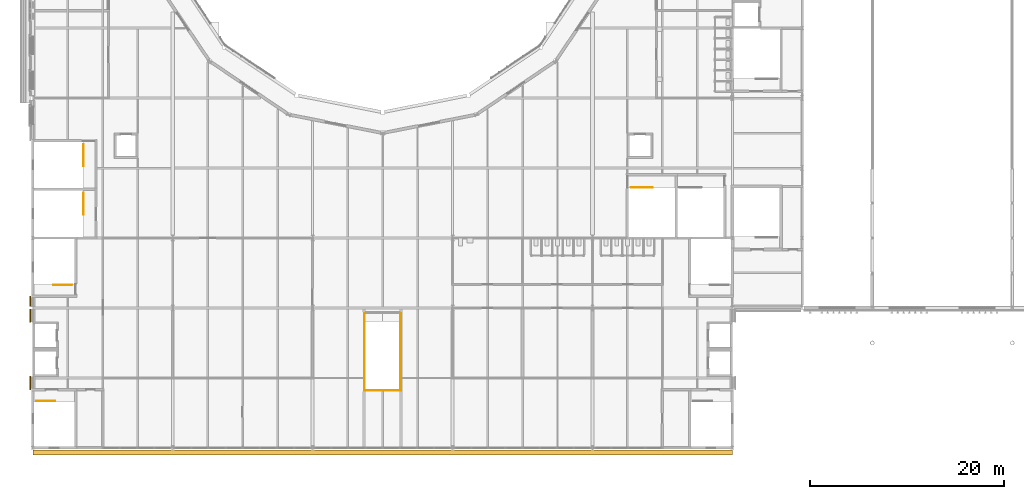
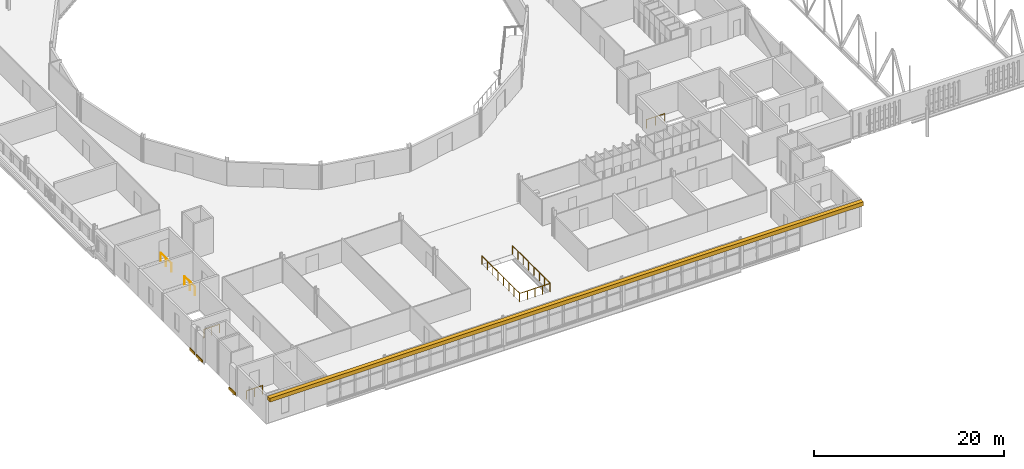
# One storey, part 114 of 142: 8 railings, 4 coverings.
"""IFC4 building model written with IfcOpenShell, lengths in metres."""

from ifc_helpers import new_model, si_unit, direction, frame, origin, origin_2d, place, context, subcontext, project, spatial, rectangle, circle, extrude, material, layer, layer_set, type_object, element, save


model = new_model("IFC4")

# Units and contexts
model_context = context("Model", 3, precision=1e-05, world=origin(), true_north=direction((0.0, 1.0)))
body_context = subcontext(model_context, "Body", "Model", "MODEL_VIEW")
ifc_project = project(units=[si_unit("LENGTHUNIT", "METRE"), si_unit("AREAUNIT", "SQUARE_METRE"), si_unit("VOLUMEUNIT", "CUBIC_METRE"), si_unit("PLANEANGLEUNIT", "RADIAN"), si_unit("MASSUNIT", "GRAM", prefix="KILO")], contexts=[model_context])

# Site, building, storey
site_placement = place(None, origin())
site = spatial("IfcSite", under=ifc_project, at=site_placement, CompositionType="ELEMENT")
building_placement = place(site_placement, origin())
building = spatial("IfcBuilding", under=site, at=building_placement, Name="Kupolbacken Congress Centre", CompositionType="ELEMENT")
storey_placement = place(building_placement, frame((0.0, 0.0, 14.39990234375)))
storey = spatial("IfcBuildingStorey", under=building, at=storey_placement, Name="L04", CompositionType="ELEMENT", Elevation=14.39990234375)

# Coverings
ifc_material_1 = material(Name="Limestone cladding", Category="masonry")
ifc_layer_1 = layer(ifc_material_1, 0.5)
ifc_layer_set_1 = layer_set([ifc_layer_1], Name="Limestone cladding")
covering_type_1 = type_object("IfcCoveringType", Name="CV10 limestone cornice 500", PredefinedType="CLADDING", material=ifc_layer_set_1)
covering_1_placement = place(storey_placement, frame((43.199951171875, 28.320068359375, 3.10009765625), z_axis=(0.0, 0.0, 1.0), x_axis=(1.0, 0.0, 0.0)))
element("IfcCovering", 1, at=covering_1_placement, inside=storey, type_object=covering_type_1, Name="F/FY/S/cornice", PredefinedType="CLADDING", context=body_context, shape_type="SweptSolid", body=[
    extrude(rectangle(XDim=72.0, YDim=0.5, at=origin_2d()), origin(), (0.0, 0.0, 1.0), 0.5),
])
ifc_material_2 = material(Name="Brick cladding", Category="masonry")
ifc_layer_2 = layer(ifc_material_2, 0.10791015625)
ifc_layer_set_2 = layer_set([ifc_layer_2], Name="Brick cladding")
covering_type_2 = type_object("IfcCoveringType", Name="CV2 brick cladding band 108", PredefinedType="CLADDING", material=ifc_layer_set_2)
covering_2_placement = place(storey_placement, frame((6.916015625, 43.875, 0.0), z_axis=(0.0, 0.0, 1.0), x_axis=(0.0, -1.0, 0.0)))
element("IfcCovering", 2, at=covering_2_placement, inside=storey, type_object=covering_type_2, Name="E/F/W/L04/424/band", PredefinedType="CLADDING", context=body_context, shape_type="SweptSolid", body=[
    extrude(rectangle(XDim=1.050048828125, YDim=0.10791015625, at=origin_2d()), origin(), (0.0, 0.0, 1.0), 0.300048828125),
])
covering_3_placement = place(storey_placement, frame((6.916015625, 42.39990234375, 0.0), z_axis=(0.0, 0.0, 1.0), x_axis=(0.0, -1.0, 0.0)))
element("IfcCovering", 3, at=covering_3_placement, inside=storey, type_object=covering_type_2, Name="E/F/W/L04/425/band", PredefinedType="CLADDING", context=body_context, shape_type="SweptSolid", body=[
    extrude(rectangle(XDim=1.300048828125, YDim=0.10791015625, at=origin_2d()), origin(), (0.0, 0.0, 1.0), 0.300048828125),
])
covering_4_placement = place(storey_placement, frame((6.916015625, 35.47509765625, 0.0), z_axis=(0.0, 0.0, 1.0), x_axis=(0.0, -1.0, 0.0)))
element("IfcCovering", 4, at=covering_4_placement, inside=storey, type_object=covering_type_2, Name="E/F/W/L04/426/band", PredefinedType="CLADDING", context=body_context, shape_type="SweptSolid", body=[
    extrude(rectangle(XDim=1.35009765625, YDim=0.10791015625, at=origin_2d()), origin(), (0.0, 0.0, 1.0), 0.300048828125),
])

# Railings
ifc_material_3 = material(Name="Steel S235", Category="steel")
railing_type = type_object("IfcRailingType", Name="RL1 guard 1100 steel balustrade", PredefinedType="GUARDRAIL", material=ifc_material_3)
railing_1_placement = place(storey_placement, frame((7.574951171875, 33.614990234375, 0.0)))
element("IfcRailing", 5, at=railing_1_placement, inside=storey, type_object=railing_type, Name="C/guard/FS1W/L04", PredefinedType="GUARDRAIL", context=body_context, shape_type="SweptSolid", body=[
    extrude(circle(Radius=0.02392578125, at=origin_2d()), frame((0.0, 0.0, 1.076171875), z_axis=(1.0, 0.0, 0.0), x_axis=(0.0, 1.0, 0.0)), (0.0, 0.0, 1.0), 1.925048828125),
    extrude(circle(Radius=0.02099609375, at=origin_2d()), origin(), (0.0, 0.0, 1.0), 1.052001953125),
    extrude(circle(Radius=0.02099609375, at=origin_2d()), frame((0.96240234375, 0.0, 0.0)), (0.0, 0.0, 1.0), 1.052001953125),
    extrude(circle(Radius=0.02099609375, at=origin_2d()), frame((1.925048828125, 0.0, 0.0)), (0.0, 0.0, 1.0), 1.052001953125),
])
railing_2_placement = place(storey_placement, frame((11.22509765625, 45.5849609375, 0.0)))
element("IfcRailing", 6, at=railing_2_placement, inside=storey, type_object=railing_type, Name="C/guard/FS2W/L04", PredefinedType="GUARDRAIL", context=body_context, shape_type="SweptSolid", body=[
    extrude(circle(Radius=0.02392578125, at=origin_2d()), frame((0.0, 0.0, 1.076171875), z_axis=(-1.0, 0.0, 0.0), x_axis=(0.0, -1.0, 0.0)), (0.0, 0.0, 1.0), 1.925048828125),
    extrude(circle(Radius=0.02099609375, at=origin_2d()), origin(), (0.0, 0.0, 1.0), 1.052001953125),
    extrude(circle(Radius=0.02099609375, at=origin_2d()), frame((-0.96240234375, 0.0, 0.0)), (0.0, 0.0, 1.0), 1.052001953125),
    extrude(circle(Radius=0.02099609375, at=origin_2d()), frame((-1.925048828125, 0.0, 0.0)), (0.0, 0.0, 1.0), 1.052001953125),
])
for number, where, name in (
    (7, (12.4150390625, 55.02490234375, 0.0), "C/guard/PS1SW/L04"),
    (8, (12.4150390625, 60.02490234375, 0.0), "C/guard/PS2SW/L04"),
):
    element("IfcRailing", number, at=place(storey_placement, frame(where)), inside=storey, type_object=railing_type, Name=name, PredefinedType="GUARDRAIL", context=body_context, shape_type="SweptSolid", body=[
        extrude(circle(Radius=0.02392578125, at=origin_2d()), frame((0.0, 0.0, 1.076171875), z_axis=(0.0, -1.0, 0.0), x_axis=(1.0, 0.0, 0.0)), (0.0, 0.0, 1.0), 2.224853515625),
        extrude(circle(Radius=0.02099609375, at=origin_2d()), origin(), (0.0, 0.0, 1.0), 1.052001953125),
        extrude(circle(Radius=0.02099609375, at=origin_2d()), frame((0.0, -1.1123046875, 0.0)), (0.0, 0.0, 1.0), 1.052001953125),
        extrude(circle(Radius=0.02099609375, at=origin_2d()), frame((0.0, -2.224853515625, 0.0)), (0.0, 0.0, 1.0), 1.052001953125),
    ])
railing_3_placement = place(storey_placement, frame((68.77490234375, 55.614990234375, 0.0)))
element("IfcRailing", 9, at=railing_3_placement, inside=storey, type_object=railing_type, Name="C/guard/PS1SE/L04", PredefinedType="GUARDRAIL", context=body_context, shape_type="SweptSolid", body=[
    extrude(circle(Radius=0.02392578125, at=origin_2d()), frame((0.0, 0.0, 1.076171875), z_axis=(1.0, 0.0, 0.0), x_axis=(0.0, 1.0, 0.0)), (0.0, 0.0, 1.0), 2.22509765625),
    extrude(circle(Radius=0.02099609375, at=origin_2d()), origin(), (0.0, 0.0, 1.0), 1.052001953125),
    extrude(circle(Radius=0.02099609375, at=origin_2d()), frame((1.112548828125, 0.0, 0.0)), (0.0, 0.0, 1.0), 1.052001953125),
    extrude(circle(Radius=0.02099609375, at=origin_2d()), frame((2.22509765625, 0.0, 0.0)), (0.0, 0.0, 1.0), 1.052001953125),
])
for number, where, name in (
    (10, (41.35009765625, 34.76220703125, 0.0), "C/esc/guard/L04/W"),
    (11, (45.050048828125, 34.76220703125, 0.0), "C/esc/guard/L04/E"),
):
    element("IfcRailing", number, at=place(storey_placement, frame(where)), inside=storey, type_object=railing_type, Name=name, PredefinedType="GUARDRAIL", context=body_context, shape_type="SweptSolid", body=[
        extrude(circle(Radius=0.02392578125, at=origin_2d()), frame((0.0, 0.0, 1.076171875), z_axis=(0.0, 1.0, 0.0), x_axis=(-1.0, 0.0, 0.0)), (0.0, 0.0, 1.0), 7.87548828125),
        extrude(circle(Radius=0.02099609375, at=origin_2d()), origin(), (0.0, 0.0, 1.0), 1.052001953125),
        extrude(circle(Radius=0.02099609375, at=origin_2d()), frame((0.0, 1.125, 0.0)), (0.0, 0.0, 1.0), 1.052001953125),
        extrude(circle(Radius=0.02099609375, at=origin_2d()), frame((0.0, 2.250244140625, 0.0)), (0.0, 0.0, 1.0), 1.052001953125),
        extrude(circle(Radius=0.02099609375, at=origin_2d()), frame((0.0, 3.375244140625, 0.0)), (0.0, 0.0, 1.0), 1.052001953125),
        extrude(circle(Radius=0.02099609375, at=origin_2d()), frame((0.0, 4.500244140625, 0.0)), (0.0, 0.0, 1.0), 1.052001953125),
        extrude(circle(Radius=0.02099609375, at=origin_2d()), frame((0.0, 5.625244140625, 0.0)), (0.0, 0.0, 1.0), 1.052001953125),
        extrude(circle(Radius=0.02099609375, at=origin_2d()), frame((0.0, 6.75048828125, 0.0)), (0.0, 0.0, 1.0), 1.052001953125),
        extrude(circle(Radius=0.02099609375, at=origin_2d()), frame((0.0, 7.87548828125, 0.0)), (0.0, 0.0, 1.0), 1.052001953125),
    ])
railing_4_placement = place(storey_placement, frame((41.35009765625, 34.71240234375, 0.0)))
element("IfcRailing", 12, at=railing_4_placement, inside=storey, type_object=railing_type, Name="C/esc/guard/L04/S", PredefinedType="GUARDRAIL", context=body_context, shape_type="SweptSolid", body=[
    extrude(circle(Radius=0.02392578125, at=origin_2d()), frame((0.0, 0.0, 1.076171875), z_axis=(1.0, 0.0, 0.0), x_axis=(0.0, 1.0, 0.0)), (0.0, 0.0, 1.0), 3.699951171875),
    extrude(circle(Radius=0.02099609375, at=origin_2d()), origin(), (0.0, 0.0, 1.0), 1.052001953125),
    extrude(circle(Radius=0.02099609375, at=origin_2d()), frame((0.925048828125, 0.0, 0.0)), (0.0, 0.0, 1.0), 1.052001953125),
    extrude(circle(Radius=0.02099609375, at=origin_2d()), frame((1.85009765625, 0.0, 0.0)), (0.0, 0.0, 1.0), 1.052001953125),
    extrude(circle(Radius=0.02099609375, at=origin_2d()), frame((2.77490234375, 0.0, 0.0)), (0.0, 0.0, 1.0), 1.052001953125),
    extrude(circle(Radius=0.02099609375, at=origin_2d()), frame((3.699951171875, 0.0, 0.0)), (0.0, 0.0, 1.0), 1.052001953125),
])

save(model, "model.ifc")
